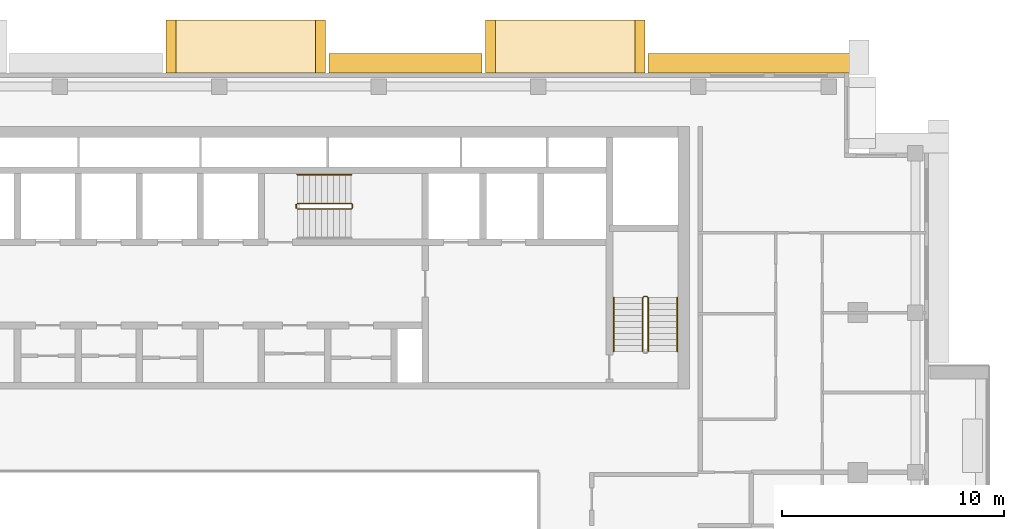
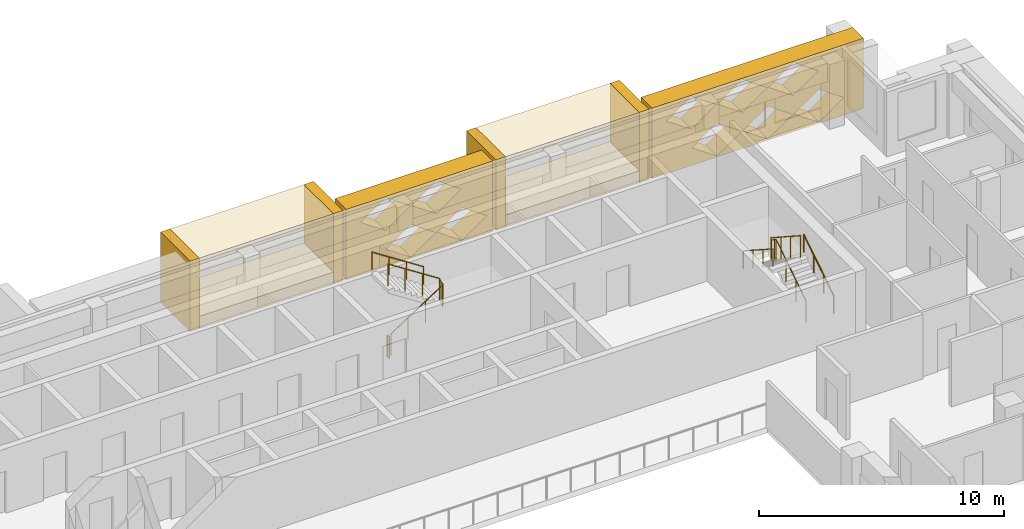
# One storey, part 18 of 19: 10 coverings, 6 railings.
"""IFC4 building model written with IfcOpenShell, lengths in metres."""

from ifc_helpers import new_model, si_unit, direction, frame, origin, origin_2d, place, context, subcontext, project, spatial, polyline, circle, outline, extrude, material, type_object, element, save


model = new_model("IFC4")

# Units and contexts
model_context = context("Model", 3, precision=1e-05, world=origin(), true_north=direction((0.0, 1.0)))
body_context = subcontext(model_context, "Body", "Model", "MODEL_VIEW")
ifc_project = project(units=[si_unit("LENGTHUNIT", "METRE"), si_unit("AREAUNIT", "SQUARE_METRE"), si_unit("VOLUMEUNIT", "CUBIC_METRE"), si_unit("PLANEANGLEUNIT", "RADIAN"), si_unit("MASSUNIT", "GRAM", prefix="KILO")], contexts=[model_context])

# Site, building, storey
site_placement = place(None, origin())
site = spatial("IfcSite", under=ifc_project, at=site_placement, CompositionType="ELEMENT")
building_placement = place(site_placement, origin())
building = spatial("IfcBuilding", under=site, at=building_placement, Name="Saffron Iwan Residences", CompositionType="ELEMENT")
storey_placement = place(building_placement, frame((0.0, 0.0, 225.5)))
storey = spatial("IfcBuildingStorey", under=building, at=storey_placement, Name="L60", CompositionType="ELEMENT", Elevation=225.5)

# Coverings
ifc_material_1 = material(Name="Precast concrete C40/50", Category="concrete")
covering_type_1 = type_object("IfcCoveringType", Name="OUTER SKIN LATTICE SCREEN", PredefinedType="CLADDING", material=ifc_material_1)
covering_1_placement = place(storey_placement, frame((79.699951171875, 80.39990234375, -0.280029296875), z_axis=(0.0, 1.0, 0.0), x_axis=(-1.0, 0.0, 0.0)))
element("IfcCovering", 1, at=covering_1_placement, inside=storey, type_object=covering_type_1, Name="OUTER SKIN lattice screen L60 F5.0", PredefinedType="CLADDING", context=body_context, shape_type="SweptSolid", body=[
    extrude(outline(polyline([(0.0, 0.0), (9.949951171875, 0.0), (9.949951171875, 3.5), (0.0, 3.5), (0.0, 0.0)]), holes=[polyline([(0.919921875, 0.875), (2.10009765625, 0.06005859375), (3.280029296875, 0.875), (2.10009765625, 1.68994140625), (0.919921875, 0.875)]), polyline([(3.320068359375, 0.875), (4.5, 0.06005859375), (5.679931640625, 0.875), (4.5, 1.68994140625), (3.320068359375, 0.875)]), polyline([(5.719970703125, 0.875), (6.89990234375, 0.06005859375), (8.080078125, 0.875), (6.89990234375, 1.68994140625), (5.719970703125, 0.875)]), polyline([(2.1201171875, 2.625), (3.300048828125, 1.81005859375), (4.47998046875, 2.625), (3.300048828125, 3.43994140625), (2.1201171875, 2.625)]), polyline([(4.52001953125, 2.625), (5.699951171875, 1.81005859375), (6.8798828125, 2.625), (5.699951171875, 3.43994140625), (4.52001953125, 2.625)]), polyline([(6.919921875, 2.625), (8.10009765625, 1.81005859375), (9.280029296875, 2.625), (8.10009765625, 3.43994140625), (6.919921875, 2.625)])]), origin(), (0.0, 0.0, 1.0), 0.900146484375),
])
covering_2_placement = place(storey_placement, frame((62.25, 80.39990234375, -0.280029296875), z_axis=(0.0, 1.0, 0.0), x_axis=(-1.0, 0.0, 0.0)))
element("IfcCovering", 2, at=covering_2_placement, inside=storey, type_object=covering_type_1, Name="OUTER SKIN lattice screen L60 F5.1", PredefinedType="CLADDING", context=body_context, shape_type="SweptSolid", body=[
    extrude(outline(polyline([(0.0, 0.0), (6.89990234375, 0.0), (6.89990234375, 3.5), (0.0, 3.5), (0.0, 0.0)]), holes=[polyline([(0.27001953125, 0.875), (1.449951171875, 0.06005859375), (2.6298828125, 0.875), (1.449951171875, 1.68994140625), (0.27001953125, 0.875)]), polyline([(2.669921875, 0.875), (3.85009765625, 0.06005859375), (5.030029296875, 0.875), (3.85009765625, 1.68994140625), (2.669921875, 0.875)]), polyline([(1.469970703125, 2.625), (2.64990234375, 1.81005859375), (3.830078125, 2.625), (2.64990234375, 3.43994140625), (1.469970703125, 2.625)]), polyline([(3.8701171875, 2.625), (5.050048828125, 1.81005859375), (6.22998046875, 2.625), (5.050048828125, 3.43994140625), (3.8701171875, 2.625)])]), origin(), (0.0, 0.0, 1.0), 0.900146484375),
])

# Railings
ifc_material_2 = material(Name="Steel S355", Category="steel")
railing_type_1 = type_object("IfcRailingType", Name="Stair guard 1100", PredefinedType="GUARDRAIL", material=ifc_material_2)
railing_1_placement = place(storey_placement, frame((53.925048828125, 74.27490234375, 0.175048828125)))
element("IfcRailing", 3, at=railing_1_placement, inside=storey, type_object=railing_type_1, Name="L60 ST-C stair guard 1", PredefinedType="GUARDRAIL", context=body_context, shape_type="SweptSolid", body=[
    extrude(circle(Radius=0.02392578125, at=origin_2d()), frame((0.0, 0.0, 1.076171875), z_axis=(0.839153699163, 0.0, 0.543894354798), x_axis=(0.0, 1.0, 0.0)), (0.0, 0.0, 1.0), 2.895751953125),
    extrude(circle(Radius=0.02392578125, at=origin_2d()), frame((2.429931640625, 0.0, 2.65087890625), z_axis=(0.707106781187, 0.707106781187, 0.0), x_axis=(-0.707106781187, 0.707106781187, 0.0)), (0.0, 0.0, 1.0), 0.07080078125),
    extrude(circle(Radius=0.02392578125, at=origin_2d()), frame((2.47998046875, 0.050048828125, 2.65087890625), z_axis=(0.0, 1.0, 0.0), x_axis=(-1.0, 0.0, 0.0)), (0.0, 0.0, 1.0), 0.150146484375),
    extrude(circle(Radius=0.02392578125, at=origin_2d()), frame((2.47998046875, 0.2001953125, 2.65087890625), z_axis=(-0.265155923931, 0.263862480399, 0.927399011991), x_axis=(-0.705375805398, -0.708833529934, 0.0)), (0.0, 0.0, 1.0), 0.188720703125),
    extrude(circle(Radius=0.02392578125, at=origin_2d()), frame((2.429931640625, 0.25, 2.826171875), z_axis=(-0.839153699163, 0.0, 0.543894354798), x_axis=(0.0, -1.0, 0.0)), (0.0, 0.0, 1.0), 2.895751953125),
    extrude(circle(Radius=0.02099609375, at=origin_2d()), origin(), (0.0, 0.0, 1.0), 1.052001953125),
    extrude(circle(Radius=0.02099609375, at=origin_2d()), frame((0.81005859375, 0.0, 0.52490234375)), (0.0, 0.0, 1.0), 1.052001953125),
    extrude(circle(Radius=0.02099609375, at=origin_2d()), frame((1.619873046875, 0.0, 1.050048828125)), (0.0, 0.0, 1.0), 1.052001953125),
    extrude(circle(Radius=0.02099609375, at=origin_2d()), frame((2.429931640625, 0.0, 1.574951171875)), (0.0, 0.0, 1.0), 1.052001953125),
    extrude(circle(Radius=0.02099609375, at=origin_2d()), frame((2.47998046875, 0.050048828125, 1.574951171875)), (0.0, 0.0, 1.0), 1.052001953125),
    extrude(circle(Radius=0.02099609375, at=origin_2d()), frame((2.47998046875, 0.2001953125, 1.574951171875)), (0.0, 0.0, 1.0), 1.052001953125),
    extrude(circle(Radius=0.02099609375, at=origin_2d()), frame((2.429931640625, 0.25, 1.75)), (0.0, 0.0, 1.0), 1.052001953125),
    extrude(circle(Radius=0.02099609375, at=origin_2d()), frame((1.619873046875, 0.25, 2.27490234375)), (0.0, 0.0, 1.0), 1.052001953125),
    extrude(circle(Radius=0.02099609375, at=origin_2d()), frame((0.81005859375, 0.25, 2.800048828125)), (0.0, 0.0, 1.0), 1.052001953125),
    extrude(circle(Radius=0.02099609375, at=origin_2d()), frame((0.0, 0.25, 3.324951171875)), (0.0, 0.0, 1.0), 1.052001953125),
])
railing_2_placement = place(storey_placement, frame((53.875, 74.324951171875, 0.0)))
element("IfcRailing", 4, at=railing_2_placement, inside=storey, type_object=railing_type_1, Name="L60 ST-C stair guard 2", PredefinedType="GUARDRAIL", context=body_context, shape_type="SweptSolid", body=[
    extrude(circle(Radius=0.02392578125, at=origin_2d()), frame((0.0, 0.0, 1.076171875), z_axis=(0.0, 1.0, 0.0), x_axis=(-1.0, 0.0, 0.0)), (0.0, 0.0, 1.0), 0.150146484375),
    extrude(circle(Radius=0.02099609375, at=origin_2d()), origin(), (0.0, 0.0, 1.0), 1.052001953125),
    extrude(circle(Radius=0.02099609375, at=origin_2d()), frame((0.0, 0.150146484375, 0.0)), (0.0, 0.0, 1.0), 1.052001953125),
])
railing_3_placement = place(storey_placement, frame((69.75, 67.85009765625, 0.175048828125)))
element("IfcRailing", 5, at=railing_3_placement, inside=storey, type_object=railing_type_1, Name="L60 ST-E stair guard 1", PredefinedType="GUARDRAIL", context=body_context, shape_type="SweptSolid", body=[
    extrude(circle(Radius=0.02392578125, at=origin_2d()), frame((0.0, 0.0, 1.076171875), z_axis=(0.0, 0.839153699163, 0.543894354798), x_axis=(-1.0, 0.0, 0.0)), (0.0, 0.0, 1.0), 2.895751953125),
    extrude(circle(Radius=0.02392578125, at=origin_2d()), frame((0.0, 2.429931640625, 2.65087890625), z_axis=(-0.707106781187, 0.707106781187, 0.0), x_axis=(-0.707106781187, -0.707106781187, 0.0)), (0.0, 0.0, 1.0), 0.07080078125),
    extrude(circle(Radius=0.02392578125, at=origin_2d()), frame((-0.050048828125, 2.47998046875, 2.65087890625), z_axis=(-1.0, 0.0, 0.0), x_axis=(0.0, -1.0, 0.0)), (0.0, 0.0, 1.0), 0.14990234375),
    extrude(circle(Radius=0.02392578125, at=origin_2d()), frame((-0.199951171875, 2.47998046875, 2.65087890625), z_axis=(-0.265065253269, -0.265065253269, 0.927081885822), x_axis=(0.707106781187, -0.707106781187, 0.0)), (0.0, 0.0, 1.0), 0.188720703125),
    extrude(circle(Radius=0.02392578125, at=origin_2d()), frame((-0.25, 2.429931640625, 2.826171875), z_axis=(0.0, -0.839153699163, 0.543894354798), x_axis=(1.0, 0.0, 0.0)), (0.0, 0.0, 1.0), 2.895751953125),
    extrude(circle(Radius=0.02099609375, at=origin_2d()), origin(), (0.0, 0.0, 1.0), 1.052001953125),
    extrude(circle(Radius=0.02099609375, at=origin_2d()), frame((0.0, 0.81005859375, 0.52490234375)), (0.0, 0.0, 1.0), 1.052001953125),
    extrude(circle(Radius=0.02099609375, at=origin_2d()), frame((0.0, 1.619873046875, 1.050048828125)), (0.0, 0.0, 1.0), 1.052001953125),
    extrude(circle(Radius=0.02099609375, at=origin_2d()), frame((0.0, 2.429931640625, 1.574951171875)), (0.0, 0.0, 1.0), 1.052001953125),
    extrude(circle(Radius=0.02099609375, at=origin_2d()), frame((-0.050048828125, 2.47998046875, 1.574951171875)), (0.0, 0.0, 1.0), 1.052001953125),
    extrude(circle(Radius=0.02099609375, at=origin_2d()), frame((-0.199951171875, 2.47998046875, 1.574951171875)), (0.0, 0.0, 1.0), 1.052001953125),
    extrude(circle(Radius=0.02099609375, at=origin_2d()), frame((-0.25, 2.429931640625, 1.75)), (0.0, 0.0, 1.0), 1.052001953125),
    extrude(circle(Radius=0.02099609375, at=origin_2d()), frame((-0.25, 1.619873046875, 2.27490234375)), (0.0, 0.0, 1.0), 1.052001953125),
    extrude(circle(Radius=0.02099609375, at=origin_2d()), frame((-0.25, 0.81005859375, 2.800048828125)), (0.0, 0.0, 1.0), 1.052001953125),
    extrude(circle(Radius=0.02099609375, at=origin_2d()), frame((-0.25, 0.0, 3.324951171875)), (0.0, 0.0, 1.0), 1.052001953125),
])
ifc_material_3 = material(Name="Stainless steel 316", Category="steel")
railing_type_2 = type_object("IfcRailingType", Name="Stair handrail 900", PredefinedType="HANDRAIL", material=ifc_material_3)
railing_4_placement = place(storey_placement, frame((56.35498046875, 75.824951171875, 1.925048828125)))
element("IfcRailing", 6, at=railing_4_placement, inside=storey, type_object=railing_type_2, Name="L60 ST-C stair handrail 2", PredefinedType="HANDRAIL", context=body_context, shape_type="SweptSolid", body=[
    extrude(circle(Radius=0.02392578125, at=origin_2d()), frame((0.0, 0.0, 0.8759765625), z_axis=(-0.839153699163, 0.0, 0.543894354798), x_axis=(0.0, -1.0, 0.0)), (0.0, 0.0, 1.0), 2.895751953125),
    extrude(circle(Radius=0.02099609375, at=origin_2d()), origin(), (0.0, 0.0, 1.0), 0.851806640625),
    extrude(circle(Radius=0.02099609375, at=origin_2d()), frame((-0.81005859375, 0.0, 0.52490234375)), (0.0, 0.0, 1.0), 0.851806640625),
    extrude(circle(Radius=0.02099609375, at=origin_2d()), frame((-1.619873046875, 0.0, 1.050048828125)), (0.0, 0.0, 1.0), 0.851806640625),
    extrude(circle(Radius=0.02099609375, at=origin_2d()), frame((-2.429931640625, 0.0, 1.574951171875)), (0.0, 0.0, 1.0), 0.851806640625),
])
railing_5_placement = place(storey_placement, frame((71.050048828125, 67.85009765625, 0.175048828125)))
element("IfcRailing", 7, at=railing_5_placement, inside=storey, type_object=railing_type_2, Name="L60 ST-E stair handrail 1", PredefinedType="HANDRAIL", context=body_context, shape_type="SweptSolid", body=[
    extrude(circle(Radius=0.02392578125, at=origin_2d()), frame((0.0, 0.0, 0.8759765625), z_axis=(0.0, 0.839153699163, 0.543894354798), x_axis=(-1.0, 0.0, 0.0)), (0.0, 0.0, 1.0), 2.895751953125),
    extrude(circle(Radius=0.02099609375, at=origin_2d()), origin(), (0.0, 0.0, 1.0), 0.851806640625),
    extrude(circle(Radius=0.02099609375, at=origin_2d()), frame((0.0, 0.81005859375, 0.52490234375)), (0.0, 0.0, 1.0), 0.851806640625),
    extrude(circle(Radius=0.02099609375, at=origin_2d()), frame((0.0, 1.619873046875, 1.050048828125)), (0.0, 0.0, 1.0), 0.851806640625),
    extrude(circle(Radius=0.02099609375, at=origin_2d()), frame((0.0, 2.429931640625, 1.574951171875)), (0.0, 0.0, 1.0), 0.851806640625),
])
railing_6_placement = place(storey_placement, frame((68.199951171875, 70.280029296875, 1.925048828125)))
element("IfcRailing", 8, at=railing_6_placement, inside=storey, type_object=railing_type_2, Name="L60 ST-E stair handrail 2", PredefinedType="HANDRAIL", context=body_context, shape_type="SweptSolid", body=[
    extrude(circle(Radius=0.02392578125, at=origin_2d()), frame((0.0, 0.0, 0.8759765625), z_axis=(0.0, -0.839153699163, 0.543894354798), x_axis=(1.0, 0.0, 0.0)), (0.0, 0.0, 1.0), 2.895751953125),
    extrude(circle(Radius=0.02099609375, at=origin_2d()), origin(), (0.0, 0.0, 1.0), 0.851806640625),
    extrude(circle(Radius=0.02099609375, at=origin_2d()), frame((0.0, -0.81005859375, 0.52490234375)), (0.0, 0.0, 1.0), 0.851806640625),
    extrude(circle(Radius=0.02099609375, at=origin_2d()), frame((0.0, -1.619873046875, 1.050048828125)), (0.0, 0.0, 1.0), 0.851806640625),
    extrude(circle(Radius=0.02099609375, at=origin_2d()), frame((0.0, -2.429931640625, 1.574951171875)), (0.0, 0.0, 1.0), 0.851806640625),
])

# Coverings
ifc_material_4 = material(Name="Precast concrete C40/50 white painted", Category="concrete")
covering_type_2 = type_object("IfcCoveringType", Name="WHITE SUN FRAME PRECAST", PredefinedType="CLADDING", material=ifc_material_4)
for number, where, z_axis, x_axis, name in (
    (9, (69.60009765625, 80.39990234375, -0.280029296875), (0.0, 1.0, 0.0), (-1.0, 0.0, 0.0), "Sun frame L60 F5 9.2a"),
    (10, (62.85009765625, 80.39990234375, -0.280029296875), (0.0, 1.0, 0.0), (-1.0, 0.0, 0.0), "Sun frame L60 F5 9.2b"),
):
    element("IfcCovering", number, at=place(storey_placement, frame(where, z_axis=z_axis, x_axis=x_axis)), inside=storey, type_object=covering_type_2, Name=name, PredefinedType="CLADDING", context=body_context, shape_type="SweptSolid", body=[
        extrude(outline(polyline([(0.0, 0.0), (0.449951171875, 0.0), (0.449951171875, 3.5), (0.0, 3.5), (0.0, 0.0)])), origin(), (0.0, 0.0, 1.0), 2.400146484375),
    ])
for number, where, z_axis, x_axis, name in (
    (11, (69.14990234375, 80.39990234375, 2.6201171875), (0.0, 1.0, 0.0), (-1.0, 0.0, 0.0), "Sun frame L60 F5 9.2h"),
    (12, (69.14990234375, 80.39990234375, -0.280029296875), (0.0, 1.0, 0.0), (-1.0, 0.0, 0.0), "Sun frame L60 F5 9.2s"),
):
    element("IfcCovering", number, at=place(storey_placement, frame(where, z_axis=z_axis, x_axis=x_axis)), inside=storey, type_object=covering_type_2, Name=name, PredefinedType="CLADDING", context=body_context, shape_type="SweptSolid", body=[
        extrude(outline(polyline([(0.0, 0.0), (6.300048828125, 0.0), (6.300048828125, 0.60009765625), (0.0, 0.60009765625), (0.0, 0.0)])), origin(), (0.0, 0.0, 1.0), 2.400146484375),
    ])
for number, where, z_axis, x_axis, name in (
    (13, (55.199951171875, 80.39990234375, -0.280029296875), (0.0, 1.0, 0.0), (-1.0, 0.0, 0.0), "Sun frame L60 F5 23.6a"),
    (14, (48.449951171875, 80.39990234375, -0.280029296875), (0.0, 1.0, 0.0), (-1.0, 0.0, 0.0), "Sun frame L60 F5 23.6b"),
):
    element("IfcCovering", number, at=place(storey_placement, frame(where, z_axis=z_axis, x_axis=x_axis)), inside=storey, type_object=covering_type_2, Name=name, PredefinedType="CLADDING", context=body_context, shape_type="SweptSolid", body=[
        extrude(outline(polyline([(0.0, 0.0), (0.449951171875, 0.0), (0.449951171875, 3.5), (0.0, 3.5), (0.0, 0.0)])), origin(), (0.0, 0.0, 1.0), 2.400146484375),
    ])
for number, where, z_axis, x_axis, name in (
    (15, (54.75, 80.39990234375, 2.6201171875), (0.0, 1.0, 0.0), (-1.0, 0.0, 0.0), "Sun frame L60 F5 23.6h"),
    (16, (54.75, 80.39990234375, -0.280029296875), (0.0, 1.0, 0.0), (-1.0, 0.0, 0.0), "Sun frame L60 F5 23.6s"),
):
    element("IfcCovering", number, at=place(storey_placement, frame(where, z_axis=z_axis, x_axis=x_axis)), inside=storey, type_object=covering_type_2, Name=name, PredefinedType="CLADDING", context=body_context, shape_type="SweptSolid", body=[
        extrude(outline(polyline([(0.0, 0.0), (6.300048828125, 0.0), (6.300048828125, 0.60009765625), (0.0, 0.60009765625), (0.0, 0.0)])), origin(), (0.0, 0.0, 1.0), 2.400146484375),
    ])

save(model, "model.ifc")
